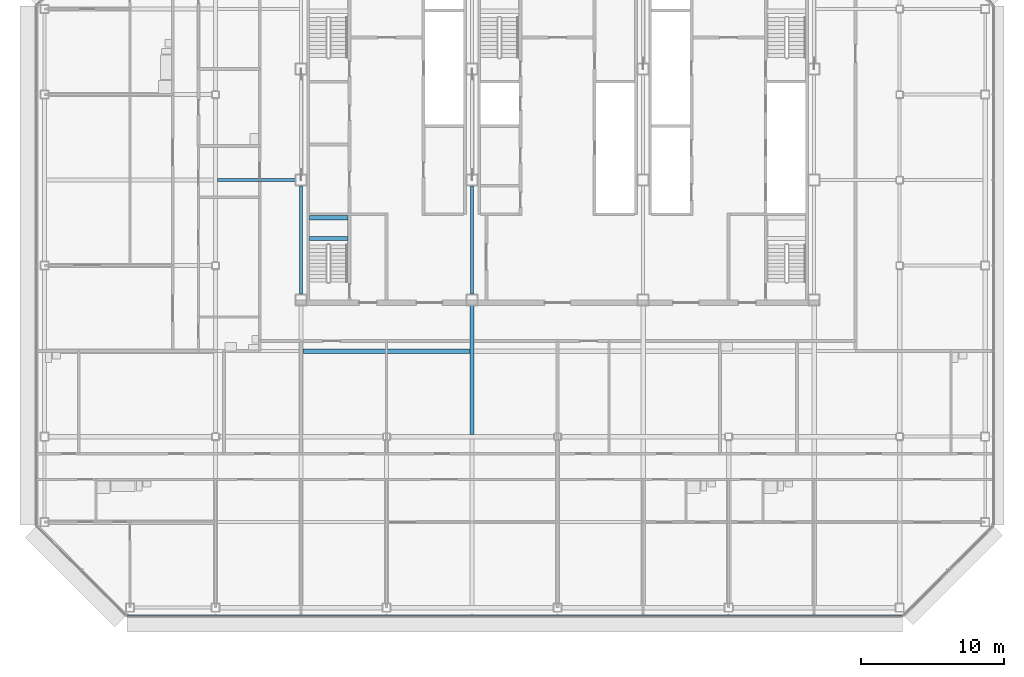
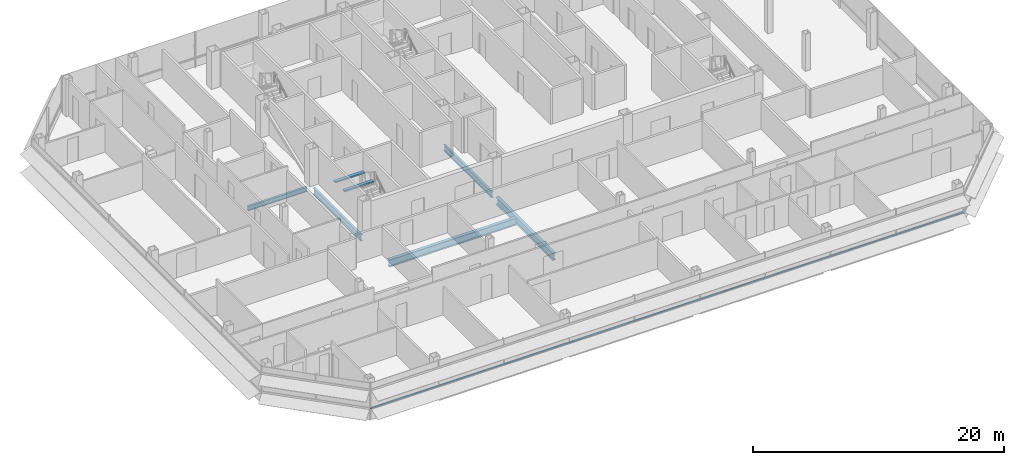
# One storey, part 8 of 27: 7 beams, 1 member, 1 element without a shape of its own.
"""IFC4 building model written with IfcOpenShell, lengths in metres."""

from ifc_helpers import new_model, si_unit, direction, frame, origin, origin_2d, place, context, subcontext, project, spatial, rectangle, i_section, extrude, material, material_profile, profile_set, type_object, element, aggregate, save


model = new_model("IFC4")

# Units and contexts
model_context = context("Model", 3, precision=1e-05, world=origin(), true_north=direction((0.0, 1.0)))
body_context = subcontext(model_context, "Body", "Model", "MODEL_VIEW")
ifc_project = project(units=[si_unit("LENGTHUNIT", "METRE"), si_unit("AREAUNIT", "SQUARE_METRE"), si_unit("VOLUMEUNIT", "CUBIC_METRE"), si_unit("PLANEANGLEUNIT", "RADIAN"), si_unit("MASSUNIT", "GRAM", prefix="KILO")], contexts=[model_context])

# Site, building, storey
site_placement = place(None, origin())
site = spatial("IfcSite", under=ifc_project, at=site_placement, CompositionType="ELEMENT")
building_placement = place(site_placement, origin())
building = spatial("IfcBuilding", under=site, at=building_placement, Name="Sorahane Residences", CompositionType="ELEMENT")
storey_placement = place(building_placement, frame((0.0, 0.0, 246.800048828125)))
storey = spatial("IfcBuildingStorey", under=building, at=storey_placement, Name="L58", CompositionType="ELEMENT", Elevation=246.800048828125)

# Curtain wall, member
ifc_material_1 = material(Name="Dark low-e glass and black anodised aluminium", Category="aluminium")
curtain_wall_type = type_object("IfcCurtainWallType", Name="Curtain wall CW-1 Typical unitised wall", PredefinedType="NOTDEFINED", material=ifc_material_1)
curtain_wall_placement = place(storey_placement, origin())
curtain_wall = element("IfcCurtainWall", 1, at=curtain_wall_placement, inside=storey, type_object=curtain_wall_type, Name="CW-1 curtain wall L58 S1", PredefinedType="NOTDEFINED")
ifc_material_2 = material(Name="Black anodised aluminium", Category="aluminium")
ifc_material_profile_1 = material_profile(ifc_material_2, rectangle(XDim=0.10009765625, YDim=0.06005859375, at=origin_2d()), Name="Curtain wall transom CW-1 black anodised aluminium 60x100")
ifc_profile_set_1 = profile_set([ifc_material_profile_1], Name="Black anodised aluminium")
member_type = type_object("IfcMemberType", Name="Curtain wall transom CW-1 black anodised aluminium 60x100", PredefinedType="USERDEFINED", material=ifc_profile_set_1)
member_placement = place(storey_placement, frame((-6.198486328125, -0.530029296875, 0.89990234375), z_axis=(1.0, 0.0, 0.0), x_axis=(0.0, 1.0, 0.0)))
member = element("IfcMember", 2, at=member_placement, type_object=member_type, Name="CW-1 transom L58 S1", ObjectType="TRANSOM", PredefinedType="USERDEFINED", context=body_context, shape_type="SweptSolid", body=[
    extrude(rectangle(XDim=0.10009765625, YDim=0.06005859375, at=origin_2d()), origin(), (0.0, 0.0, 1.0), 54.39697265625),
])
aggregate(curtain_wall, [member])

# Beams
ifc_material_3 = material(Name="Concrete C40", Category="concrete")
ifc_material_profile_2 = material_profile(ifc_material_3, rectangle(XDim=0.300048828125, YDim=0.139892578125, at=origin_2d()), Name="300x140")
ifc_profile_set_2 = profile_set([ifc_material_profile_2], Name="Concrete C40")
beam_type_1 = type_object("IfcBeamType", Name="RC landing beam 300 x 140 Concrete C40", PredefinedType="BEAM", material=ifc_profile_set_2)
for number, where, z_axis, x_axis, name in (
    (3, (6.60009765625, 25.89990234375, 1.530029296875), (1.0, 0.0, 0.0), (0.0, 1.0, 0.0), "Landing beam"),
    (4, (6.60009765625, 27.35009765625, 1.530029296875), (1.0, 0.0, 0.0), (0.0, 1.0, 0.0), "Landing beam"),
):
    element("IfcBeam", number, at=place(storey_placement, frame(where, z_axis=z_axis, x_axis=x_axis)), inside=storey, type_object=beam_type_1, Name=name, PredefinedType="BEAM", context=body_context, shape_type="SweptSolid", body=[
        extrude(rectangle(XDim=0.300048828125, YDim=0.139892578125, at=origin_2d()), origin(), (0.0, 0.0, 1.0), 2.699951171875),
    ])
ifc_material_4 = material(Name="Steel Q355B", Category="steel")
ifc_material_profile_3 = material_profile(ifc_material_4, i_section(OverallWidth=0.199951171875, OverallDepth=0.449951171875, WebThickness=0.009033203125, FlangeThickness=0.013916015625, FilletRadius=0.02001953125, at=origin_2d()), Name="HN 450x200x9x14")
ifc_profile_set_3 = profile_set([ifc_material_profile_3], Name="Steel Q355B")
beam_type_2 = type_object("IfcBeamType", Name="Steel floor beam HN 450x200x9x14 Q355B", PredefinedType="BEAM", material=ifc_profile_set_3)
beam_1_placement = place(storey_placement, frame((0.14990234375, 30.0, -0.405029296875), z_axis=(1.0, 0.0, 0.0), x_axis=(0.0, 1.0, 0.0)))
element("IfcBeam", 5, at=beam_1_placement, inside=storey, type_object=beam_type_2, Name="Beam L58 086", PredefinedType="BEAM", context=body_context, shape_type="SweptSolid", body=[
    extrude(i_section(OverallWidth=0.199951171875, OverallDepth=0.449951171875, WebThickness=0.009033203125, FlangeThickness=0.013916015625, FilletRadius=0.02001953125, at=origin_2d()), origin(), (0.0, 0.0, 1.0), 5.4501953125),
])
ifc_material_5 = material(Name="Steel Q355B", Category="steel")
ifc_material_profile_4 = material_profile(ifc_material_5, i_section(OverallWidth=0.199951171875, OverallDepth=0.60009765625, WebThickness=0.010986328125, FlangeThickness=0.01708984375, FilletRadius=0.02392578125, at=origin_2d()), Name="HN 600x200x11x17")
ifc_profile_set_4 = profile_set([ifc_material_profile_4], Name="Steel Q355B")
beam_type_3 = type_object("IfcBeamType", Name="Steel floor beam HN 600x200x11x17 Q355B", PredefinedType="BEAM", material=ifc_profile_set_4)
for number, where, z_axis, x_axis, name in (
    (6, (6.0, 22.0, -0.47998046875), (0.0, 1.0, 0.0), (-1.0, 0.0, 0.0), "Beam L58 030"),
    (7, (18.0, 22.0, -0.47998046875), (0.0, 1.0, 0.0), (-1.0, 0.0, 0.0), "Beam L58 038"),
):
    element("IfcBeam", number, at=place(storey_placement, frame(where, z_axis=z_axis, x_axis=x_axis)), inside=storey, type_object=beam_type_3, Name=name, PredefinedType="BEAM", context=body_context, shape_type="SweptSolid", body=[
        extrude(i_section(OverallWidth=0.199951171875, OverallDepth=0.60009765625, WebThickness=0.010986328125, FlangeThickness=0.01708984375, FilletRadius=0.02392578125, at=origin_2d()), origin(), (0.0, 0.0, 1.0), 7.60009765625),
    ])
ifc_material_6 = material(Name="Steel Q355B", Category="steel")
ifc_material_profile_5 = material_profile(ifc_material_6, i_section(OverallWidth=0.300048828125, OverallDepth=0.699951171875, WebThickness=0.012939453125, FlangeThickness=0.02392578125, FilletRadius=0.028076171875, at=origin_2d()), Name="HN 700x300x13x24")
ifc_profile_set_5 = profile_set([ifc_material_profile_5], Name="Steel Q355B")
beam_type_4 = type_object("IfcBeamType", Name="Steel floor beam HN 700x300x13x24 Q355B", PredefinedType="BEAM", material=ifc_profile_set_5)
beam_2_placement = place(storey_placement, frame((18.0, 12.14990234375, -0.530029296875), z_axis=(0.0, 1.0, 0.0), x_axis=(-1.0, 0.0, 0.0)))
element("IfcBeam", 8, at=beam_2_placement, inside=storey, type_object=beam_type_4, Name="Beam L58 037", PredefinedType="BEAM", context=body_context, shape_type="SweptSolid", body=[
    extrude(i_section(OverallWidth=0.300048828125, OverallDepth=0.699951171875, WebThickness=0.012939453125, FlangeThickness=0.02392578125, FilletRadius=0.028076171875, at=origin_2d()), origin(), (0.0, 0.0, 1.0), 9.050048828125),
])
beam_3_placement = place(storey_placement, frame((6.14990234375, 18.0, -0.530029296875), z_axis=(1.0, 0.0, 0.0), x_axis=(0.0, 1.0, 0.0)))
element("IfcBeam", 9, at=beam_3_placement, inside=storey, type_object=beam_type_4, Name="Beam L58 080", PredefinedType="BEAM", context=body_context, shape_type="SweptSolid", body=[
    extrude(i_section(OverallWidth=0.300048828125, OverallDepth=0.699951171875, WebThickness=0.012939453125, FlangeThickness=0.02392578125, FilletRadius=0.028076171875, at=origin_2d()), origin(), (0.0, 0.0, 1.0), 11.7001953125),
])

save(model, "model.ifc")
